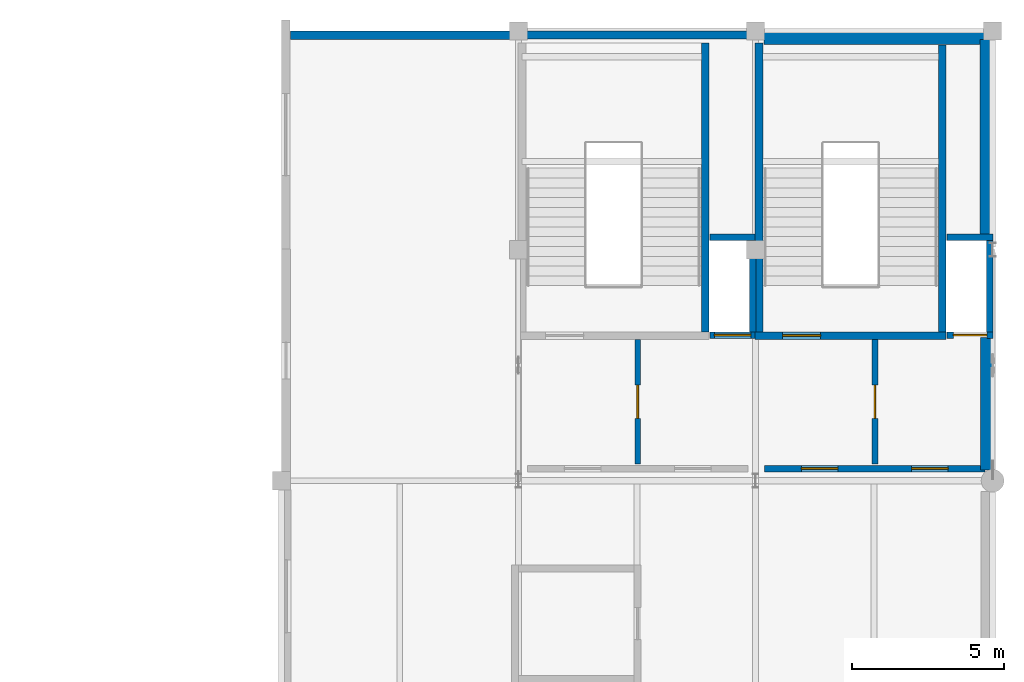
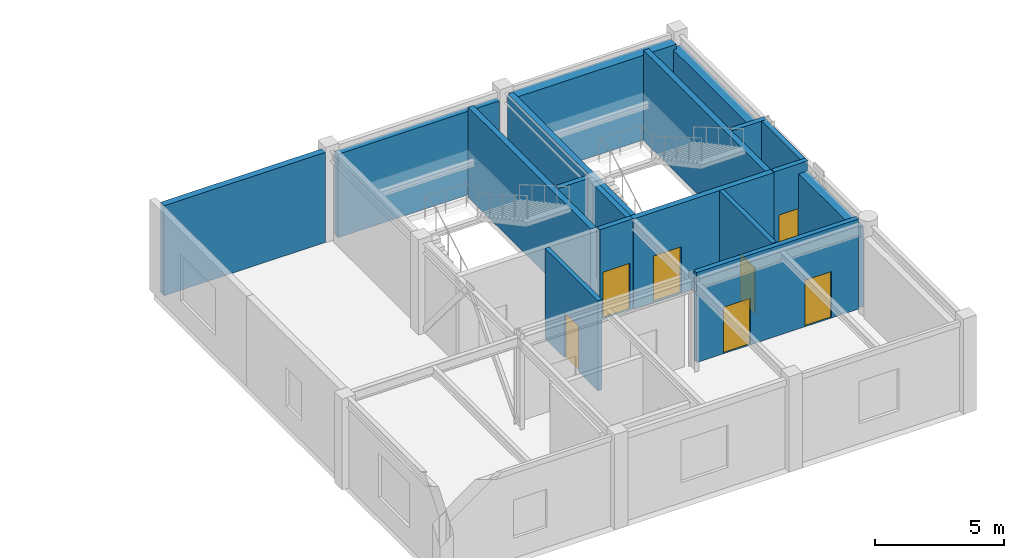
# One storey, part 25 of 28: 18 walls, 7 doors, 7 openings.
"""IFC4 building model written with IfcOpenShell, lengths in metres."""

from ifc_helpers import new_model, si_unit, direction, frame, frame_2d, origin, place, context, subcontext, project, spatial, rectangle, extrude, material, layer, layer_set, type_object, element, fill, save


model = new_model("IFC4")

# Units and contexts
model_context = context("Model", 3, precision=1e-05, world=origin(), true_north=direction((0.0, 1.0)))
body_context = subcontext(model_context, "Body", "Model", "MODEL_VIEW")
ifc_project = project(units=[si_unit("LENGTHUNIT", "METRE"), si_unit("AREAUNIT", "SQUARE_METRE"), si_unit("VOLUMEUNIT", "CUBIC_METRE"), si_unit("PLANEANGLEUNIT", "RADIAN"), si_unit("MASSUNIT", "GRAM", prefix="KILO")], contexts=[model_context])

# Site, building, storey
site_placement = place(None, origin())
site = spatial("IfcSite", under=ifc_project, at=site_placement, CompositionType="ELEMENT")
building_placement = place(site_placement, origin())
building = spatial("IfcBuilding", under=site, at=building_placement, Name="Xicomal Pleat Aquarium", CompositionType="ELEMENT")
storey_placement = place(building_placement, frame((0.0, 0.0, 15.300048828125)))
storey = spatial("IfcBuildingStorey", under=building, at=storey_placement, Name="L04", CompositionType="ELEMENT", Elevation=15.300048828125)

# Wall, opening, door
ifc_material_1 = material(Name="Concrete C40/50", Category="concrete")
ifc_layer_1 = layer(ifc_material_1, 0.219970703125)
ifc_layer_set_1 = layer_set([ifc_layer_1], Name="Concrete C40/50")
wall_type_1 = type_object("IfcWallType", Name="WAL-COR-220", PredefinedType="SHEAR", material=ifc_layer_set_1)
wall_1_placement = place(storey_placement, frame((147.89990234375, 88.389892578125, 0.0), z_axis=(0.0, 0.0, 1.0), x_axis=(1.0, 0.0, 0.0)))
wall_1 = element("IfcWall", 1, at=wall_1_placement, inside=storey, type_object=wall_type_1, Name="L04 LF-05 lift shaft wall CW-L04-C5-LS", PredefinedType="SHEAR", context=body_context, shape_type="SweptSolid", body=[
    extrude(rectangle(XDim=1.489990234375, YDim=0.219970703125, at=frame_2d((0.7451171875, 0.0))), origin(), (0.0, 0.0, 1.0), 4.260009765625),
])
opening_1_placement = place(wall_1_placement, frame((0.14501953125, 0.0, 0.0)))
opening_1 = element("IfcOpeningElement", 2, at=opening_1_placement, cuts=wall_1, Name="Opening LD-05-L04", PredefinedType="OPENING", context=body_context, shape_type="SweptSolid", body=[
    extrude(rectangle(XDim=1.199951171875, YDim=2.199951171875, at=frame_2d((0.60009765625, 1.10009765625))), frame((0.0, 0.119873046875, 0.0), z_axis=(0.0, -1.0, 0.0), x_axis=(1.0, 0.0, 0.0)), (0.0, 0.0, 1.0), 0.239990234375),
])
ifc_material_2 = material(Name="Brushed stainless steel 304", Category="steel")
door_type_1 = type_object("IfcDoorType", Name="DOR-LD-1200x2200", OperationType="DOUBLE_DOOR_SLIDING", PredefinedType="DOOR", material=ifc_material_2)
door_1_placement = place(opening_1_placement, origin())
door_1 = element("IfcDoor", 3, at=door_1_placement, inside=storey, type_object=door_type_1, Name="L04 LF-05 sliding lift landing door", OperationType="DOUBLE_DOOR_SLIDING", OverallHeight=2.199951171875, OverallWidth=1.199951171875, PredefinedType="DOOR", context=body_context, shape_type="SweptSolid", body=[
    extrude(rectangle(XDim=1.199951171875, YDim=2.199951171875, at=frame_2d((0.60009765625, 1.10009765625))), frame((0.0, 0.02490234375, 0.0), z_axis=(0.0, -1.0, 0.0), x_axis=(1.0, 0.0, 0.0)), (0.0, 0.0, 1.0), 0.050048828125),
])
fill(opening_1, door_1)

# Walls
wall_2_placement = place(storey_placement, frame((147.89990234375, 91.610107421875, 0.0), z_axis=(0.0, 0.0, 1.0), x_axis=(1.0, 0.0, 0.0)))
element("IfcWall", 4, at=wall_2_placement, inside=storey, type_object=wall_type_1, Name="L04 LF-05 lift shaft wall CW-L04-C5-LN", PredefinedType="SHEAR", context=body_context, shape_type="SweptSolid", body=[
    extrude(rectangle(XDim=1.489990234375, YDim=0.219970703125, at=frame_2d((0.7451171875, 0.0))), origin(), (0.0, 0.0, 1.0), 4.260009765625),
])
wall_3_placement = place(storey_placement, frame((149.31005859375, 88.5, 0.0), z_axis=(0.0, 0.0, 1.0), x_axis=(0.0, 1.0, 0.0)))
element("IfcWall", 5, at=wall_3_placement, inside=storey, type_object=wall_type_1, Name="L04 LF-05 lift shaft wall CW-L04-C5-LE", PredefinedType="SHEAR", context=body_context, shape_type="SweptSolid", body=[
    extrude(rectangle(XDim=3.0, YDim=0.219970703125, at=frame_2d((1.5, 0.0))), origin(), (0.0, 0.0, 1.0), 4.260009765625),
])

# Wall, opening, door
wall_4_placement = place(storey_placement, frame((155.699951171875, 88.389892578125, 0.0), z_axis=(0.0, 0.0, 1.0), x_axis=(1.0, 0.0, 0.0)))
wall_4 = element("IfcWall", 6, at=wall_4_placement, inside=storey, type_object=wall_type_1, Name="L04 LF-06 lift shaft wall CW-L04-C6-LS", PredefinedType="SHEAR", context=body_context, shape_type="SweptSolid", body=[
    extrude(rectangle(XDim=1.52001953125, YDim=0.219970703125, at=frame_2d((0.760009765625, 0.0))), origin(), (0.0, 0.0, 1.0), 4.260009765625),
])
opening_2_placement = place(wall_4_placement, frame((0.2099609375, 0.0, 0.0)))
opening_2 = element("IfcOpeningElement", 7, at=opening_2_placement, cuts=wall_4, Name="Opening LD-06-L04", PredefinedType="OPENING", context=body_context, shape_type="SweptSolid", body=[
    extrude(rectangle(XDim=1.10009765625, YDim=2.14990234375, at=frame_2d((0.550048828125, 1.074951171875))), frame((0.0, 0.119873046875, 0.0), z_axis=(0.0, -1.0, 0.0), x_axis=(1.0, 0.0, 0.0)), (0.0, 0.0, 1.0), 0.239990234375),
])
ifc_material_3 = material(Name="Brushed stainless steel 304", Category="steel")
door_type_2 = type_object("IfcDoorType", Name="DOR-LD-1100x2150", OperationType="DOUBLE_DOOR_SLIDING", PredefinedType="DOOR", material=ifc_material_3)
door_2_placement = place(opening_2_placement, origin())
door_2 = element("IfcDoor", 8, at=door_2_placement, inside=storey, type_object=door_type_2, Name="L04 LF-06 sliding lift landing door", OperationType="DOUBLE_DOOR_SLIDING", OverallHeight=2.14990234375, OverallWidth=1.10009765625, PredefinedType="DOOR", context=body_context, shape_type="SweptSolid", body=[
    extrude(rectangle(XDim=1.10009765625, YDim=2.14990234375, at=frame_2d((0.550048828125, 1.074951171875))), frame((0.0, 0.02490234375, 0.0), z_axis=(0.0, -1.0, 0.0), x_axis=(1.0, 0.0, 0.0)), (0.0, 0.0, 1.0), 0.050048828125),
])
fill(opening_2, door_2)

# Walls
wall_5_placement = place(storey_placement, frame((155.699951171875, 91.610107421875, 0.0), z_axis=(0.0, 0.0, 1.0), x_axis=(1.0, 0.0, 0.0)))
element("IfcWall", 9, at=wall_5_placement, inside=storey, type_object=wall_type_1, Name="L04 LF-06 lift shaft wall CW-L04-C6-LN", PredefinedType="SHEAR", context=body_context, shape_type="SweptSolid", body=[
    extrude(rectangle(XDim=1.52001953125, YDim=0.219970703125, at=frame_2d((0.760009765625, 0.0))), origin(), (0.0, 0.0, 1.0), 4.260009765625),
])
wall_6_placement = place(storey_placement, frame((157.110107421875, 88.5, 0.0), z_axis=(0.0, 0.0, 1.0), x_axis=(0.0, 1.0, 0.0)))
element("IfcWall", 10, at=wall_6_placement, inside=storey, type_object=wall_type_1, Name="L04 LF-06 lift shaft wall CW-L04-C6-LE", PredefinedType="SHEAR", context=body_context, shape_type="SweptSolid", body=[
    extrude(rectangle(XDim=3.0, YDim=0.219970703125, at=frame_2d((1.5, 0.0))), origin(), (0.0, 0.0, 1.0), 4.260009765625),
])
ifc_material_4 = material(Name="Concrete C40/50", Category="concrete")
ifc_layer_2 = layer(ifc_material_4, 0.25)
ifc_layer_set_2 = layer_set([ifc_layer_2], Name="Concrete C40/50")
wall_type_2 = type_object("IfcWallType", Name="WAL-COR-250", PredefinedType="SHEAR", material=ifc_layer_set_2)
wall_7_placement = place(storey_placement, frame((147.7451171875, 88.5, 0.0), z_axis=(0.0, 0.0, 1.0), x_axis=(0.0, 1.0, 0.0)))
element("IfcWall", 11, at=wall_7_placement, inside=storey, type_object=wall_type_2, Name="L04 CORE-5 stair shear wall CW-L04-C5-SE", PredefinedType="SHEAR", context=body_context, shape_type="SweptSolid", body=[
    extrude(rectangle(XDim=9.5, YDim=0.25, at=frame_2d((4.75, 0.0))), origin(), (0.0, 0.0, 1.0), 4.260009765625),
])

# Wall, opening, door
wall_8_placement = place(storey_placement, frame((149.389892578125, 88.375, 0.0), z_axis=(0.0, 0.0, 1.0), x_axis=(1.0, 0.0, 0.0)))
wall_8 = element("IfcWall", 12, at=wall_8_placement, inside=storey, type_object=wall_type_2, Name="L04 CORE-6 stair shear wall CW-L04-C6-SS", PredefinedType="SHEAR", context=body_context, shape_type="SweptSolid", body=[
    extrude(rectangle(XDim=6.280029296875, YDim=0.25, at=frame_2d((3.14013671875, 0.0))), origin(), (0.0, 0.0, 1.0), 4.260009765625),
])
opening_3_placement = place(wall_8_placement, frame((0.89990234375, 0.0, 0.0)))
opening_3 = element("IfcOpeningElement", 13, at=opening_3_placement, cuts=wall_8, Name="Opening SD-06-L04", PredefinedType="OPENING", context=body_context, shape_type="SweptSolid", body=[
    extrude(rectangle(XDim=1.25, YDim=2.199951171875, at=frame_2d((0.625, 1.10009765625))), frame((0.0, 0.135009765625, 0.0), z_axis=(0.0, -1.0, 0.0), x_axis=(1.0, 0.0, 0.0)), (0.0, 0.0, 1.0), 0.27001953125),
])
ifc_material_5 = material(Name="Powder-coated steel fire door", Category="steel")
door_type_3 = type_object("IfcDoorType", Name="DOR-ST-1250x2200", OperationType="NOTDEFINED", PredefinedType="DOOR", material=ifc_material_5)
door_3_placement = place(opening_3_placement, origin())
door_3 = element("IfcDoor", 14, at=door_3_placement, inside=storey, type_object=door_type_3, Name="L04 ST-06 protected stair door", OperationType="SINGLE_SWING_LEFT", OverallHeight=2.199951171875, OverallWidth=1.25, PredefinedType="DOOR", context=body_context, shape_type="SweptSolid", body=[
    extrude(rectangle(XDim=1.25, YDim=2.199951171875, at=frame_2d((0.625, 1.10009765625))), frame((0.0, 0.02490234375, 0.0), z_axis=(0.0, -1.0, 0.0), x_axis=(1.0, 0.0, 0.0)), (0.0, 0.0, 1.0), 0.050048828125),
])
fill(opening_3, door_3)

# Walls
wall_9_placement = place(storey_placement, frame((149.514892578125, 88.5, 0.0), z_axis=(0.0, 0.0, 1.0), x_axis=(0.0, 1.0, 0.0)))
element("IfcWall", 15, at=wall_9_placement, inside=storey, type_object=wall_type_2, Name="L04 CORE-6 stair shear wall CW-L04-C6-SW", PredefinedType="SHEAR", context=body_context, shape_type="SweptSolid", body=[
    extrude(rectangle(XDim=9.5, YDim=0.25, at=frame_2d((4.75, 0.0))), origin(), (0.0, 0.0, 1.0), 4.260009765625),
])
wall_10_placement = place(storey_placement, frame((155.544921875, 88.5, 0.0), z_axis=(0.0, 0.0, 1.0), x_axis=(0.0, 1.0, 0.0)))
element("IfcWall", 16, at=wall_10_placement, inside=storey, type_object=wall_type_2, Name="L04 CORE-6 stair shear wall CW-L04-C6-SE", PredefinedType="SHEAR", context=body_context, shape_type="SweptSolid", body=[
    extrude(rectangle(XDim=9.43505859375, YDim=0.25, at=frame_2d((4.717529296875, 0.0))), origin(), (0.0, 0.0, 1.0), 4.260009765625),
])
ifc_material_6 = material(Name="Volcanic basalt recinto masonry and concrete C40/50", Category="masonry")
ifc_layer_3 = layer(ifc_material_6, 0.39990234375)
ifc_layer_set_3 = layer_set([ifc_layer_3], Name="Volcanic basalt recinto masonry and concrete C40/50")
wall_type_3 = type_object("IfcWallType", Name="WAL-EXT-BAS-400", PredefinedType="SOLIDWALL", material=ifc_layer_set_3)
wall_11_placement = place(storey_placement, frame((157.0, 88.320068359375, 0.0), z_axis=(0.0, 0.0, 1.0), x_axis=(0.0, -1.0, 0.0)))
element("IfcWall", 17, at=wall_11_placement, inside=storey, type_object=wall_type_3, Name="L04 exterior basalt-precast wall EW-L04-011", PredefinedType="SOLIDWALL", context=body_context, shape_type="SweptSolid", body=[
    extrude(rectangle(XDim=4.360107421875, YDim=0.39990234375, at=frame_2d((2.18017578125, 0.0))), origin(), (0.0, 0.0, 1.0), 3.785888671875),
])
ifc_material_7 = material(Name="Volcanic basalt recinto masonry and concrete C40/50", Category="masonry")
ifc_layer_4 = layer(ifc_material_7, 0.419921875)
ifc_layer_set_4 = layer_set([ifc_layer_4], Name="Volcanic basalt recinto masonry and concrete C40/50")
wall_type_4 = type_object("IfcWallType", Name="WAL-EXT-BAS-420", PredefinedType="SOLIDWALL", material=ifc_layer_set_4)
wall_12_placement = place(storey_placement, frame((156.989990234375, 98.114990234375, 0.0), z_axis=(0.0, 0.0, 1.0), x_axis=(0.0, -1.0, 0.0)))
element("IfcWall", 18, at=wall_12_placement, inside=storey, type_object=wall_type_4, Name="L04 exterior basalt-precast wall EW-L04-010", PredefinedType="SOLIDWALL", context=body_context, shape_type="SweptSolid", body=[
    extrude(rectangle(XDim=6.43505859375, YDim=0.419921875, at=frame_2d((3.217529296875, 0.0))), origin(), (0.0, 0.0, 1.0), 3.785888671875),
])
ifc_material_8 = material(Name="Volcanic basalt recinto masonry and concrete C40/50", Category="masonry")
ifc_layer_5 = layer(ifc_material_8, 0.445068359375)
ifc_layer_set_5 = layer_set([ifc_layer_5], Name="Volcanic basalt recinto masonry and concrete C40/50")
wall_type_5 = type_object("IfcWallType", Name="WAL-EXT-BAS-445", PredefinedType="SOLIDWALL", material=ifc_layer_set_5)
wall_13_placement = place(storey_placement, frame((149.68505859375, 98.177978515625, 0.0), z_axis=(0.0, 0.0, 1.0), x_axis=(1.0, 0.0, 0.0)))
element("IfcWall", 19, at=wall_13_placement, inside=storey, type_object=wall_type_5, Name="L04 exterior basalt-precast wall EW-L04-009", PredefinedType="SOLIDWALL", context=body_context, shape_type="SweptSolid", body=[
    extrude(rectangle(XDim=7.22998046875, YDim=0.445068359375, at=frame_2d((3.614990234375, 0.0))), origin(), (0.0, 0.0, 1.0), 4.0048828125),
])
ifc_material_9 = material(Name="Precast concrete C40/50", Category="concrete")
ifc_layer_6 = layer(ifc_material_9, 0.260009765625)
ifc_layer_set_6 = layer_set([ifc_layer_6], Name="Precast concrete C40/50")
wall_type_6 = type_object("IfcWallType", Name="WAL-EXT-PRC-260", PredefinedType="SOLIDWALL", material=ifc_layer_set_6)
wall_14_placement = place(storey_placement, frame((141.885009765625, 98.27001953125, 0.0), z_axis=(0.0, 0.0, 1.0), x_axis=(1.0, 0.0, 0.0)))
element("IfcWall", 20, at=wall_14_placement, inside=storey, type_object=wall_type_6, Name="L04 exterior basalt-precast wall EW-L04-008", PredefinedType="SOLIDWALL", context=body_context, shape_type="SweptSolid", body=[
    extrude(rectangle(XDim=7.22998046875, YDim=0.260009765625, at=frame_2d((3.614990234375, 0.0))), origin(), (0.0, 0.0, 1.0), 3.954833984375),
])
ifc_material_10 = material(Name="Precast concrete C40/50", Category="concrete")
ifc_layer_7 = layer(ifc_material_10, 0.280029296875)
ifc_layer_set_7 = layer_set([ifc_layer_7], Name="Precast concrete C40/50")
wall_type_7 = type_object("IfcWallType", Name="WAL-EXT-PRC-280", PredefinedType="SOLIDWALL", material=ifc_layer_set_7)
wall_15_placement = place(storey_placement, frame((134.094970703125, 98.260009765625, 0.0), z_axis=(0.0, 0.0, 1.0), x_axis=(1.0, 0.0, 0.0)))
element("IfcWall", 21, at=wall_15_placement, inside=storey, type_object=wall_type_7, Name="L04 exterior basalt-precast wall EW-L04-007B", PredefinedType="SOLIDWALL", context=body_context, shape_type="SweptSolid", body=[
    extrude(rectangle(XDim=7.219970703125, YDim=0.280029296875, at=frame_2d((3.60986328125, 0.0))), origin(), (0.0, 0.0, 1.0), 4.260009765625),
])

# Wall, opening, door
ifc_material_11 = material(Name="Acoustic double-stud drywall partition", Category="gypsum")
ifc_layer_8 = layer(ifc_material_11, 0.195068359375)
ifc_layer_set_8 = layer_set([ifc_layer_8], Name="Acoustic double-stud drywall partition")
wall_type_8 = type_object("IfcWallType", Name="WAL-PRT-195", PredefinedType="PARTITIONING", material=ifc_layer_set_8)
wall_16_placement = place(storey_placement, frame((145.52490234375, 84.14990234375, 0.0), z_axis=(0.0, 0.0, 1.0), x_axis=(0.0, 1.0, 0.0)))
wall_16 = element("IfcWall", 22, at=wall_16_placement, inside=storey, type_object=wall_type_8, Name="L04 firefighting lobby smoke divider 5", PredefinedType="PARTITIONING", context=body_context, shape_type="SweptSolid", body=[
    extrude(rectangle(XDim=4.10009765625, YDim=0.195068359375, at=frame_2d((2.050048828125, 0.0))), origin(), (0.0, 0.0, 1.0), 4.260009765625),
])
opening_4_placement = place(wall_16_placement, frame((1.5, 0.0, 0.0)))
opening_4 = element("IfcOpeningElement", 23, at=opening_4_placement, cuts=wall_16, Name="Opening FD-05C-L04", PredefinedType="OPENING", context=body_context, shape_type="SweptSolid", body=[
    extrude(rectangle(XDim=1.10009765625, YDim=2.14990234375, at=frame_2d((0.550048828125, 1.074951171875))), frame((0.0, 0.107421875, 0.0), z_axis=(0.0, -1.0, 0.0), x_axis=(1.0, 0.0, 0.0)), (0.0, 0.0, 1.0), 0.215087890625),
])
ifc_material_12 = material(Name="Powder-coated steel fire door", Category="steel")
door_type_4 = type_object("IfcDoorType", Name="DOR-LAB-1100x2150", OperationType="NOTDEFINED", PredefinedType="DOOR", material=ifc_material_12)
door_4_placement = place(opening_4_placement, origin())
door_4 = element("IfcDoor", 24, at=door_4_placement, inside=storey, type_object=door_type_4, Name="L04 lobby interconnecting fire door 5C", OperationType="SINGLE_SWING_LEFT", OverallHeight=2.14990234375, OverallWidth=1.10009765625, PredefinedType="DOOR", context=body_context, shape_type="SweptSolid", body=[
    extrude(rectangle(XDim=1.10009765625, YDim=2.14990234375, at=frame_2d((0.550048828125, 1.074951171875))), frame((0.0, 0.02490234375, 0.0), z_axis=(0.0, -1.0, 0.0), x_axis=(1.0, 0.0, 0.0)), (0.0, 0.0, 1.0), 0.050048828125),
])
fill(opening_4, door_4)

wall_17_placement = place(storey_placement, frame((153.324951171875, 84.14990234375, 0.0), z_axis=(0.0, 0.0, 1.0), x_axis=(0.0, 1.0, 0.0)))
wall_17 = element("IfcWall", 25, at=wall_17_placement, inside=storey, type_object=wall_type_8, Name="L04 firefighting lobby smoke divider 6", PredefinedType="PARTITIONING", context=body_context, shape_type="SweptSolid", body=[
    extrude(rectangle(XDim=4.10009765625, YDim=0.195068359375, at=frame_2d((2.050048828125, 0.0))), origin(), (0.0, 0.0, 1.0), 4.260009765625),
])
opening_5_placement = place(wall_17_placement, frame((1.5, 0.0, 0.0)))
opening_5 = element("IfcOpeningElement", 26, at=opening_5_placement, cuts=wall_17, Name="Opening FD-06C-L04", PredefinedType="OPENING", context=body_context, shape_type="SweptSolid", body=[
    extrude(rectangle(XDim=1.10009765625, YDim=2.14990234375, at=frame_2d((0.550048828125, 1.074951171875))), frame((0.0, 0.107421875, 0.0), z_axis=(0.0, -1.0, 0.0), x_axis=(1.0, 0.0, 0.0)), (0.0, 0.0, 1.0), 0.215087890625),
])
door_5_placement = place(opening_5_placement, origin())
door_5 = element("IfcDoor", 27, at=door_5_placement, inside=storey, type_object=door_type_4, Name="L04 lobby interconnecting fire door 6C", OperationType="SINGLE_SWING_LEFT", OverallHeight=2.14990234375, OverallWidth=1.10009765625, PredefinedType="DOOR", context=body_context, shape_type="SweptSolid", body=[
    extrude(rectangle(XDim=1.10009765625, YDim=2.14990234375, at=frame_2d((0.550048828125, 1.074951171875))), frame((0.0, 0.02490234375, 0.0), z_axis=(0.0, -1.0, 0.0), x_axis=(1.0, 0.0, 0.0)), (0.0, 0.0, 1.0), 0.050048828125),
])
fill(opening_5, door_5)

# Wall, openings, doors
ifc_material_13 = material(Name="Fire-rated gypsum and mineral-wool partition", Category="gypsum")
ifc_layer_9 = layer(ifc_material_13, 0.2099609375)
ifc_layer_set_9 = layer_set([ifc_layer_9], Name="Fire-rated gypsum and mineral-wool partition")
wall_type_9 = type_object("IfcWallType", Name="WAL-PRT-210", PredefinedType="PARTITIONING", material=ifc_layer_set_9)
wall_18_placement = place(storey_placement, frame((149.699951171875, 84.0, 0.0), z_axis=(0.0, 0.0, 1.0), x_axis=(1.0, 0.0, 0.0)))
wall_18 = element("IfcWall", 28, at=wall_18_placement, inside=storey, type_object=wall_type_9, Name="L04 CORE-6 lobby fire enclosure wall", PredefinedType="PARTITIONING", context=body_context, shape_type="SweptSolid", body=[
    extrude(rectangle(XDim=7.25, YDim=0.2099609375, at=frame_2d((3.625, 0.0))), origin(), (0.0, 0.0, 1.0), 4.260009765625),
])
opening_6_placement = place(wall_18_placement, frame((1.2119140625, 0.0, 0.0)))
opening_6 = element("IfcOpeningElement", 29, at=opening_6_placement, cuts=wall_18, Name="Opening FD-06A-L04", PredefinedType="OPENING", context=body_context, shape_type="SweptSolid", body=[
    extrude(rectangle(XDim=1.199951171875, YDim=2.199951171875, at=frame_2d((0.60009765625, 1.10009765625))), frame((0.0, 0.114990234375, 0.0), z_axis=(0.0, -1.0, 0.0), x_axis=(1.0, 0.0, 0.0)), (0.0, 0.0, 1.0), 0.22998046875),
])
opening_7_placement = place(wall_18_placement, frame((4.837890625, 0.0, 0.0)))
opening_7 = element("IfcOpeningElement", 30, at=opening_7_placement, cuts=wall_18, Name="Opening FD-06B-L04", PredefinedType="OPENING", context=body_context, shape_type="SweptSolid", body=[
    extrude(rectangle(XDim=1.199951171875, YDim=2.199951171875, at=frame_2d((0.60009765625, 1.10009765625))), frame((0.0, 0.114990234375, 0.0), z_axis=(0.0, -1.0, 0.0), x_axis=(1.0, 0.0, 0.0)), (0.0, 0.0, 1.0), 0.22998046875),
])
ifc_material_14 = material(Name="Powder-coated steel fire door", Category="steel")
door_type_5 = type_object("IfcDoorType", Name="DOR-FFL-1200x2200", OperationType="NOTDEFINED", PredefinedType="DOOR", material=ifc_material_14)
door_6_placement = place(opening_6_placement, origin())
door_6 = element("IfcDoor", 31, at=door_6_placement, inside=storey, type_object=door_type_5, Name="L04 firefighting lobby door 6A", OperationType="SINGLE_SWING_LEFT", OverallHeight=2.199951171875, OverallWidth=1.199951171875, PredefinedType="DOOR", context=body_context, shape_type="SweptSolid", body=[
    extrude(rectangle(XDim=1.199951171875, YDim=2.199951171875, at=frame_2d((0.60009765625, 1.10009765625))), frame((0.0, 0.02490234375, 0.0), z_axis=(0.0, -1.0, 0.0), x_axis=(1.0, 0.0, 0.0)), (0.0, 0.0, 1.0), 0.050048828125),
])
fill(opening_6, door_6)
door_7_placement = place(opening_7_placement, origin())
door_7 = element("IfcDoor", 32, at=door_7_placement, inside=storey, type_object=door_type_5, Name="L04 lift lobby door 6B", OperationType="SINGLE_SWING_RIGHT", OverallHeight=2.199951171875, OverallWidth=1.199951171875, PredefinedType="DOOR", context=body_context, shape_type="SweptSolid", body=[
    extrude(rectangle(XDim=1.199951171875, YDim=2.199951171875, at=frame_2d((0.60009765625, 1.10009765625))), frame((0.0, 0.02490234375, 0.0), z_axis=(0.0, -1.0, 0.0), x_axis=(1.0, 0.0, 0.0)), (0.0, 0.0, 1.0), 0.050048828125),
])
fill(opening_7, door_7)

save(model, "model.ifc")
